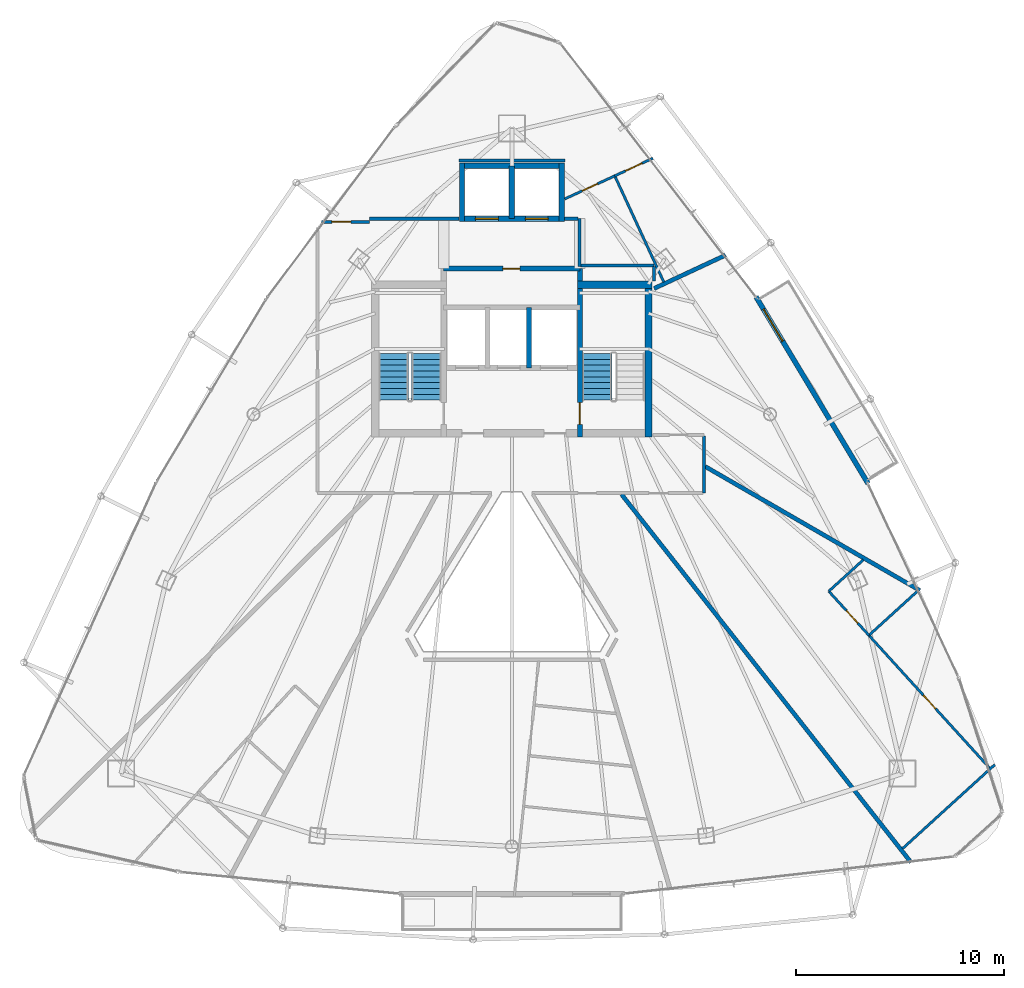
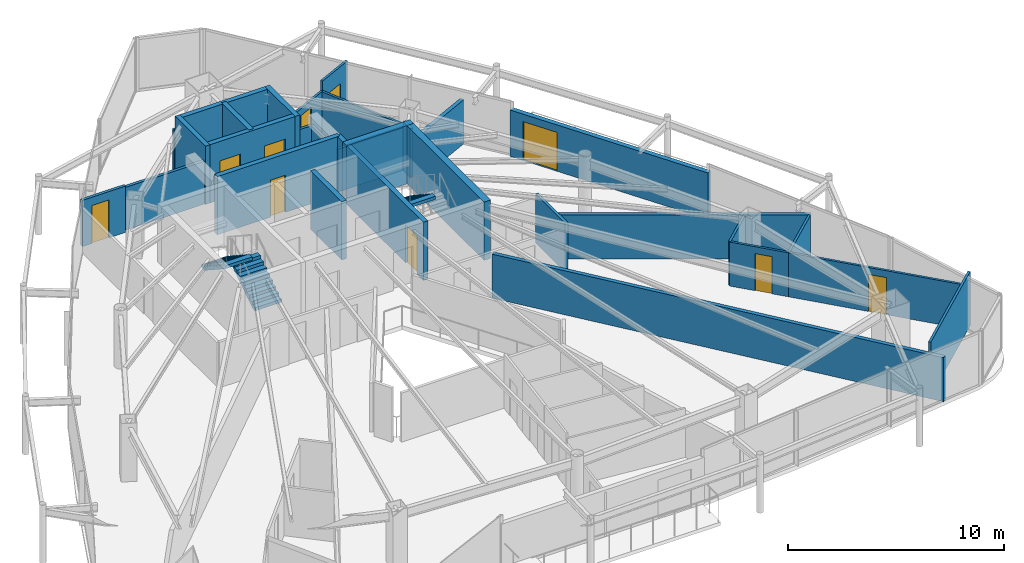
# One storey, part 30 of 34: 30 walls, 10 doors, 3 stair flights, 10 openings, 2 elements without a shape of their own.
"""IFC4 building model written with IfcOpenShell, lengths in metres."""

import ifcopenshell
import ifcopenshell.guid

model = None  # the IFC model being written
_history = None  # IfcOwnerHistory: only IFC2X3 demands one
_inside = {}  # id of a spatial element -> (the spatial element, [elements in it])
_under = {}  # id of a project, library or spatial element -> (it, [spatial elements below it])
_declared = {}  # id of a project -> (the project, [libraries it declares])
_typed = {}  # id of a type object -> (the type object, [elements of that type])
_made_of = {}  # id of a material, layer set ... -> (it, [elements and type objects made of it])


def new_model(schema):
    """Start an empty IFC model of exactly this schema.

    Asked for "IFC4X3", IfcOpenShell would pick the latest addendum, in which some entities
    have other attributes; the version numbers below select the first issue.
    IFC2X3 requires an IfcOwnerHistory on every rooted entity: one is made here for all.
    """
    global model, _history
    if schema == "IFC4X3":
        model = ifcopenshell.file(schema_version=(4, 3, 0, 0))
    else:
        model = ifcopenshell.file(schema=schema)
    _inside.clear()
    _under.clear()
    _declared.clear()
    _typed.clear()
    _made_of.clear()
    _history = None
    if model.schema == "IFC2X3":
        org = make("IfcOrganization", Name="unknown")
        user = make(
            "IfcPersonAndOrganization",
            ThePerson=make("IfcPerson", FamilyName="unknown"),
            TheOrganization=org,
        )
        app = make(
            "IfcApplication",
            ApplicationDeveloper=org,
            Version="unknown",
            ApplicationFullName="unknown",
            ApplicationIdentifier="unknown",
        )
        _history = make(
            "IfcOwnerHistory",
            OwningUser=user,
            OwningApplication=app,
            ChangeAction="ADDED",
            CreationDate=0,
        )
    return model


def make(cls, **values):
    """One entity of the class cls with the attributes given. An attribute that is None is left unset."""
    return model.create_entity(
        cls, **{name: value for name, value in values.items() if value is not None}
    )


def rooted(cls, **values):
    """An entity with a GlobalId (a new one), such as an element, a storey or a relation."""
    return make(cls, GlobalId=ifcopenshell.guid.new(), OwnerHistory=_history, **values)


def si_unit(unit_type, name, prefix=None):
    """IfcSIUnit, for example si_unit("LENGTHUNIT", "METRE", prefix="MILLI")."""
    return make("IfcSIUnit", UnitType=unit_type, Prefix=prefix, Name=name)


def assignment(units):
    """IfcUnitAssignment: the units of a project."""
    return None if units is None else make("IfcUnitAssignment", Units=units)


def point(xyz):
    """IfcCartesianPoint."""
    return None if xyz is None else make("IfcCartesianPoint", Coordinates=xyz)


def direction(xyz):
    """IfcDirection."""
    return None if xyz is None else make("IfcDirection", DirectionRatios=xyz)


def frame(location, z_axis=None, x_axis=None):
    """IfcAxis2Placement3D, a coordinate frame: its origin and axes. An axis left out is left unset."""
    return make(
        "IfcAxis2Placement3D",
        Location=point(location),
        Axis=direction(z_axis),
        RefDirection=direction(x_axis),
    )


def frame_2d(location, x_axis=None):
    """IfcAxis2Placement2D, a coordinate frame in the plane: its origin and x axis."""
    return make(
        "IfcAxis2Placement2D", Location=point(location), RefDirection=direction(x_axis)
    )


def origin():
    """The frame at (0, 0, 0) with its axes left unset."""
    return frame((0.0, 0.0, 0.0))


def place(relative_to, where):
    """IfcLocalPlacement: puts the frame where relative to a parent placement (None: the world)."""
    return make(
        "IfcLocalPlacement", PlacementRelTo=relative_to, RelativePlacement=where
    )


def context(
    kind, dimensions, precision=None, world=None, true_north=None, identifier=None
):
    """IfcGeometricRepresentationContext, for example the 3D "Model" context."""
    return make(
        "IfcGeometricRepresentationContext",
        ContextIdentifier=identifier,
        ContextType=kind,
        CoordinateSpaceDimension=dimensions,
        Precision=precision,
        WorldCoordinateSystem=world,
        TrueNorth=true_north,
    )


def subcontext(parent, identifier, kind, view, scale=None):
    """IfcGeometricRepresentationSubContext, for example "Body" below "Model"."""
    return make(
        "IfcGeometricRepresentationSubContext",
        ContextIdentifier=identifier,
        ContextType=kind,
        ParentContext=parent,
        TargetScale=scale,
        TargetView=view,
    )


def project(units=None, contexts=None):
    """IfcProject with its units and contexts."""
    return rooted(
        "IfcProject",
        Name="project",
        RepresentationContexts=contexts,
        UnitsInContext=assignment(units),
    )


def spatial(cls, under=None, at=None, **own):
    """A site, building, storey or space (cls), placed at a placement, below another one or the project."""
    s = rooted(cls, ObjectPlacement=at, **own)
    if under is not None:
        _under.setdefault(under.id(), (under, []))[1].append(s)
    return s


def polyline(points):
    """IfcPolyline through the points."""
    return make("IfcPolyline", Points=[point(p) for p in points])


def profile(cls, at=None, kind="AREA", **sizes):
    """A parametric profile (cls). Its sizes go by their IFC names, for example OverallWidth=200.0."""
    return make(cls, ProfileType=kind, Position=at, **sizes)


def rectangle(**sizes):
    """IfcRectangleProfileDef."""
    return profile("IfcRectangleProfileDef", **sizes)


def outline(outer, holes=None, kind="AREA"):
    """IfcArbitraryClosedProfileDef: a profile drawn as a closed curve; with holes, ...WithVoids."""
    if holes is None:
        return make("IfcArbitraryClosedProfileDef", ProfileType=kind, OuterCurve=outer)
    return make(
        "IfcArbitraryProfileDefWithVoids",
        ProfileType=kind,
        OuterCurve=outer,
        InnerCurves=holes,
    )


def extrude(swept, where, along, depth):
    """IfcExtrudedAreaSolid: the profile swept, set in the frame where, extruded along a direction by depth."""
    return make(
        "IfcExtrudedAreaSolid",
        SweptArea=swept,
        Position=where,
        ExtrudedDirection=direction(along),
        Depth=depth,
    )


def shape(context_of_items, identifier, shape_type, items):
    """IfcShapeRepresentation: the items that make up one representation, for example the "Body"."""
    return make(
        "IfcShapeRepresentation",
        ContextOfItems=context_of_items,
        RepresentationIdentifier=identifier,
        RepresentationType=shape_type,
        Items=items,
    )


def material(Name=None, Category=None):
    """IfcMaterial."""
    return make("IfcMaterial", Name=Name, Category=Category)


def layer(
    of_material, thickness, ventilated=None, Name=None, Category=None, Priority=None
):
    """IfcMaterialLayer: one layer of a wall or slab, of a material (None: an air gap)."""
    return make(
        "IfcMaterialLayer",
        Material=of_material,
        LayerThickness=thickness,
        IsVentilated=ventilated,
        Name=Name,
        Category=Category,
        Priority=Priority,
    )


def layer_set(layers, Name=None):
    """IfcMaterialLayerSet."""
    return make("IfcMaterialLayerSet", MaterialLayers=layers, LayerSetName=Name)


def made_of(thing, what):
    """Note that an element or type object is made of a material, layer set ...; save() writes the relation."""
    if what is not None:
        _made_of.setdefault(what.id(), (what, []))[1].append(thing)
    return thing


def type_object(cls, material=None, **own):
    """A type object (cls), such as IfcWallType, which elements share."""
    return made_of(rooted(cls, **own), material)


def element(
    cls,
    number,
    at=None,
    inside=None,
    cuts=None,
    type_object=None,
    material=None,
    context=None,
    identifier="Body",
    shape_type=None,
    held_by="IfcProductDefinitionShape",
    body=None,
    shapes=None,
    **own,
):
    """One element of the class cls, such as IfcWall. Its Tag is "e" and its number.

    at: its placement. inside: the storey or other place that contains it. cuts: it is an
    opening in that element (IfcRelVoidsElement). A single representation is given by context,
    identifier, shape_type and body (its items); several are given by shapes. held_by: the class
    of the entity that holds the representations. save() writes the other relations.
    """
    e = rooted(cls, Tag="e%d" % number, ObjectPlacement=at, **own)
    if body is not None:
        shapes = [shape(context, identifier, shape_type, body)]
    if shapes is not None:
        e.Representation = make(held_by, Representations=shapes)
    if inside is not None:
        _inside.setdefault(inside.id(), (inside, []))[1].append(e)
    if cuts is not None:
        rooted(
            "IfcRelVoidsElement", RelatingBuildingElement=cuts, RelatedOpeningElement=e
        )
    if type_object is not None:
        _typed.setdefault(type_object.id(), (type_object, []))[1].append(e)
    return made_of(e, material)


def fill(opening, filler):
    """IfcRelFillsElement: the door or window that sits in an opening."""
    return rooted(
        "IfcRelFillsElement",
        RelatingOpeningElement=opening,
        RelatedBuildingElement=filler,
    )


def aggregate(whole, parts):
    """IfcRelAggregates: a whole, such as a stair, and the parts it consists of."""
    return rooted("IfcRelAggregates", RelatingObject=whole, RelatedObjects=parts)


def save(model, path):
    """Write the relations noted so far, then the file.

    IfcRelAggregates (storeys below a building ...), IfcRelContainedInSpatialStructure (elements
    in a storey), IfcRelDefinesByType, IfcRelAssociatesMaterial and IfcRelDeclares: one each for
    every whole, place, type object, material and project.
    """
    for whole, parts in _under.values():
        aggregate(whole, parts)
    for where, things in _inside.values():
        rooted(
            "IfcRelContainedInSpatialStructure",
            RelatedElements=things,
            RelatingStructure=where,
        )
    for kind, things in _typed.values():
        rooted("IfcRelDefinesByType", RelatedObjects=things, RelatingType=kind)
    for what, things in _made_of.values():
        rooted("IfcRelAssociatesMaterial", RelatedObjects=things, RelatingMaterial=what)
    for by, libraries in _declared.values():
        rooted("IfcRelDeclares", RelatingContext=by, RelatedDefinitions=libraries)
    model.write(path)


model = new_model("IFC4")

# Units and contexts
model_context = context("Model", 3, precision=1e-05, world=origin(), true_north=direction((0.0, 1.0)))
body_context = subcontext(model_context, "Body", "Model", "MODEL_VIEW")
ifc_project = project(units=[si_unit("LENGTHUNIT", "METRE"), si_unit("AREAUNIT", "SQUARE_METRE"), si_unit("VOLUMEUNIT", "CUBIC_METRE"), si_unit("PLANEANGLEUNIT", "RADIAN"), si_unit("MASSUNIT", "GRAM", prefix="KILO")], contexts=[model_context])

# Site, building, storey
site_placement = place(None, origin())
site = spatial("IfcSite", under=ifc_project, at=site_placement, CompositionType="ELEMENT")
building_placement = place(site_placement, origin())
building = spatial("IfcBuilding", under=site, at=building_placement, Name="Orvanel Arch Residences", CompositionType="ELEMENT")
storey_placement = place(building_placement, frame((0.0, 0.0, 199.699951171875)))
storey = spatial("IfcBuildingStorey", under=building, at=storey_placement, Name="L56", CompositionType="ELEMENT", Elevation=199.699951171875)

# Wall, opening, door
ifc_material_1 = material(Name="Precast concrete N50 (50 MPa)", Category="concrete")
ifc_layer_1 = layer(ifc_material_1, 0.239990234375)
ifc_layer_set_1 = layer_set([ifc_layer_1], Name="Precast concrete N50 (50 MPa)")
wall_type_1 = type_object("IfcWallType", Name="EW-BAL-240", PredefinedType="SOLIDWALL", material=ifc_layer_set_1)
wall_1_placement = place(storey_placement, frame((50.14892578125, 24.300048828125, 0.0), z_axis=(0.0, 0.0, 1.0), x_axis=(-0.514406779101, 0.857546305231, 0.0)))
wall_1 = element("IfcWall", 1, at=wall_1_placement, inside=storey, type_object=wall_type_1, Name="L56 Balcony Threshold Wall Face 3", PredefinedType="SOLIDWALL", context=body_context, shape_type="SweptSolid", body=[
    extrude(rectangle(XDim=10.49169921875, YDim=0.239990234375, at=frame_2d((5.245849609375, 0.0))), origin(), (0.0, 0.0, 1.0), 2.6240234375),
])
opening_1_placement = place(wall_1_placement, frame((7.993896484375, 0.0, 0.0)))
opening_1 = element("IfcOpeningElement", 2, at=opening_1_placement, cuts=wall_1, Name="Opening DB-180", PredefinedType="OPENING", context=body_context, shape_type="SweptSolid", body=[
    extrude(rectangle(XDim=1.800048828125, YDim=2.199951171875, at=frame_2d((0.89990234375, 1.10009765625))), frame((0.0, 0.1298828125, 0.0), z_axis=(0.0, -1.0, 0.0), x_axis=(1.0, 0.0, 0.0)), (0.0, 0.0, 1.0), 0.260009765625),
])
ifc_material_2 = material(Name="Bronze-anodised aluminium AA6063-T6", Category="aluminium")
door_type_1 = type_object("IfcDoorType", Name="DR-BAL-1800", OperationType="NOTDEFINED", PredefinedType="DOOR", material=ifc_material_2)
door_1_placement = place(opening_1_placement, origin())
door_1 = element("IfcDoor", 3, at=door_1_placement, inside=storey, type_object=door_type_1, Name="DR-L56-BAL-F3 L56 Planted Balcony Access Door Face 3", OperationType="SINGLE_SWING_LEFT", OverallHeight=2.199951171875, OverallWidth=1.800048828125, PredefinedType="DOOR", context=body_context, shape_type="SweptSolid", body=[
    extrude(rectangle(XDim=1.800048828125, YDim=2.199951171875, at=frame_2d((0.89990234375, 1.10009765625))), frame((0.0, 0.02490234375, 0.0), z_axis=(0.0, -1.0, 0.0), x_axis=(1.0, 0.0, 0.0)), (0.0, 0.0, 1.0), 0.050048828125),
])
fill(opening_1, door_1)

ifc_material_3 = material(Name="Concrete N50 (50 MPa)", Category="concrete")
ifc_layer_2 = layer(ifc_material_3, 0.25)
ifc_layer_set_2 = layer_set([ifc_layer_2], Name="Concrete N50 (50 MPa)")
wall_type_2 = type_object("IfcWallType", Name="SW-CORE-250", PredefinedType="SHEAR", material=ifc_layer_set_2)
wall_2_placement = place(storey_placement, frame((36.27490234375, 26.550048828125, 0.0), z_axis=(0.0, 0.0, 1.0), x_axis=(0.0, 1.0, 0.0)))
wall_2 = element("IfcWall", 4, at=wall_2_placement, inside=storey, type_object=wall_type_2, Name="L56 East Inner Core Spine Shear Wall", PredefinedType="SHEAR", context=body_context, shape_type="SweptSolid", body=[
    extrude(rectangle(XDim=8.099853515625, YDim=0.25, at=frame_2d((4.0498046875, 0.0))), origin(), (0.0, 0.0, 1.0), 3.300048828125),
])
opening_2_placement = place(wall_2_placement, frame((0.60009765625, 0.0, 0.0)))
opening_2 = element("IfcOpeningElement", 5, at=opening_2_placement, cuts=wall_2, Name="Opening DF-120", PredefinedType="OPENING", context=body_context, shape_type="SweptSolid", body=[
    extrude(rectangle(XDim=1.050048828125, YDim=2.14990234375, at=frame_2d((0.52490234375, 1.074951171875))), frame((0.0, 0.135009765625, 0.0), z_axis=(0.0, -1.0, 0.0), x_axis=(1.0, 0.0, 0.0)), (0.0, 0.0, 1.0), 0.27001953125),
])
ifc_material_4 = material(Name="Galvanised steel fire-resisting door assembly", Category="steel")
door_type_2 = type_object("IfcDoorType", Name="DR-FD120-1050", OperationType="NOTDEFINED", PredefinedType="DOOR", material=ifc_material_4)
door_2_placement = place(opening_2_placement, origin())
door_2 = element("IfcDoor", 6, at=door_2_placement, inside=storey, type_object=door_type_2, Name="DR-L56-ST2 L56 Stair 2 Fire Door", OperationType="SINGLE_SWING_RIGHT", OverallHeight=2.14990234375, OverallWidth=1.050048828125, PredefinedType="DOOR", context=body_context, shape_type="SweptSolid", body=[
    extrude(rectangle(XDim=1.050048828125, YDim=2.14990234375, at=frame_2d((0.52490234375, 1.074951171875))), frame((0.0, 0.02490234375, 0.0), z_axis=(0.0, -1.0, 0.0), x_axis=(1.0, 0.0, 0.0)), (0.0, 0.0, 1.0), 0.050048828125),
])
fill(opening_2, door_2)

# Wall
wall_3_placement = place(storey_placement, frame((33.824951171875, 29.875, 0.0), z_axis=(0.0, 0.0, 1.0), x_axis=(0.0, 1.0, 0.0)))
element("IfcWall", 7, at=wall_3_placement, inside=storey, type_object=wall_type_2, Name="L56 Emergency Lift Inter-Shaft Wall F2G", PredefinedType="SHEAR", context=body_context, shape_type="SweptSolid", body=[
    extrude(rectangle(XDim=2.89990234375, YDim=0.25, at=frame_2d((1.449951171875, 0.0))), origin(), (0.0, 0.0, 1.0), 3.300048828125),
])

# Wall, opening, door
wall_4_placement = place(storey_placement, frame((29.72509765625, 34.64990234375, 0.0), z_axis=(0.0, 0.0, 1.0), x_axis=(1.0, 0.0, 0.0)))
wall_4 = element("IfcWall", 8, at=wall_4_placement, inside=storey, type_object=wall_type_2, Name="L56 Core Service Band North Shear Wall", PredefinedType="SHEAR", context=body_context, shape_type="SweptSolid", body=[
    extrude(rectangle(XDim=6.5498046875, YDim=0.25, at=frame_2d((3.27490234375, 0.0))), origin(), (0.0, 0.0, 1.0), 3.300048828125),
])
opening_3_placement = place(wall_4_placement, frame((2.840087890625, 0.0, 0.0)))
opening_3 = element("IfcOpeningElement", 9, at=opening_3_placement, cuts=wall_4, Name="Opening DS-082", PredefinedType="OPENING", context=body_context, shape_type="SweptSolid", body=[
    extrude(rectangle(XDim=0.820068359375, YDim=2.10009765625, at=frame_2d((0.41015625, 1.050048828125))), frame((0.0, 0.135009765625, 0.0), z_axis=(0.0, -1.0, 0.0), x_axis=(1.0, 0.0, 0.0)), (0.0, 0.0, 1.0), 0.27001953125),
])
door_type_3 = type_object("IfcDoorType", Name="DR-SVC-820", OperationType="NOTDEFINED", PredefinedType="DOOR", material=ifc_material_4)
door_3_placement = place(opening_3_placement, origin())
door_3 = element("IfcDoor", 10, at=door_3_placement, inside=storey, type_object=door_type_3, Name="DR-L56-CSVC-1 L56 Housekeeping Linen Store Door", OperationType="SINGLE_SWING_LEFT", OverallHeight=2.10009765625, OverallWidth=0.820068359375, PredefinedType="DOOR", context=body_context, shape_type="SweptSolid", body=[
    extrude(rectangle(XDim=0.820068359375, YDim=2.10009765625, at=frame_2d((0.41015625, 1.050048828125))), frame((0.0, 0.02490234375, 0.0), z_axis=(0.0, -1.0, 0.0), x_axis=(1.0, 0.0, 0.0)), (0.0, 0.0, 1.0), 0.050048828125),
])
fill(opening_3, door_3)

# Wall, openings, doors
wall_5_placement = place(storey_placement, frame((35.52490234375, 37.050048828125, 0.0), z_axis=(0.0, 0.0, 1.0), x_axis=(-1.0, 0.0, 0.0)))
wall_5 = element("IfcWall", 11, at=wall_5_placement, inside=storey, type_object=wall_type_2, Name="L56 Passenger Lift Bank Front Shear Wall", PredefinedType="SHEAR", context=body_context, shape_type="SweptSolid", body=[
    extrude(rectangle(XDim=5.0498046875, YDim=0.25, at=frame_2d((2.52490234375, 0.0))), origin(), (0.0, 0.0, 1.0), 3.300048828125),
])
opening_4_placement = place(wall_5_placement, frame((3.175048828125, 0.0, 0.0)))
opening_4 = element("IfcOpeningElement", 12, at=opening_4_placement, cuts=wall_5, Name="Opening LD-110", PredefinedType="OPENING", context=body_context, shape_type="SweptSolid", body=[
    extrude(rectangle(XDim=1.10009765625, YDim=2.199951171875, at=frame_2d((0.550048828125, 1.10009765625))), frame((0.0, 0.135009765625, 0.0), z_axis=(0.0, -1.0, 0.0), x_axis=(1.0, 0.0, 0.0)), (0.0, 0.0, 1.0), 0.27001953125),
])
opening_5_placement = place(wall_5_placement, frame((0.77490234375, 0.0, 0.0)))
opening_5 = element("IfcOpeningElement", 13, at=opening_5_placement, cuts=wall_5, Name="Opening LD-110", PredefinedType="OPENING", context=body_context, shape_type="SweptSolid", body=[
    extrude(rectangle(XDim=1.10009765625, YDim=2.199951171875, at=frame_2d((0.550048828125, 1.10009765625))), frame((0.0, 0.135009765625, 0.0), z_axis=(0.0, -1.0, 0.0), x_axis=(1.0, 0.0, 0.0)), (0.0, 0.0, 1.0), 0.27001953125),
])
door_type_4 = type_object("IfcDoorType", Name="DR-LFT-1100", OperationType="NOTDEFINED", PredefinedType="DOOR", material=ifc_material_4)
door_4_placement = place(opening_4_placement, origin())
door_4 = element("IfcDoor", 14, at=door_4_placement, inside=storey, type_object=door_type_4, Name="LD-P5-L56 L56 Passenger Lift P5 Sliding Landing Door", OperationType="DOUBLE_DOOR_SLIDING", OverallHeight=2.199951171875, OverallWidth=1.10009765625, PredefinedType="DOOR", context=body_context, shape_type="SweptSolid", body=[
    extrude(rectangle(XDim=1.10009765625, YDim=2.199951171875, at=frame_2d((0.550048828125, 1.10009765625))), frame((0.0, 0.02490234375, 0.0), z_axis=(0.0, -1.0, 0.0), x_axis=(1.0, 0.0, 0.0)), (0.0, 0.0, 1.0), 0.050048828125),
])
fill(opening_4, door_4)
door_5_placement = place(opening_5_placement, origin())
door_5 = element("IfcDoor", 15, at=door_5_placement, inside=storey, type_object=door_type_4, Name="LD-P6-L56 L56 Passenger Lift P6 Sliding Landing Door", OperationType="DOUBLE_DOOR_SLIDING", OverallHeight=2.199951171875, OverallWidth=1.10009765625, PredefinedType="DOOR", context=body_context, shape_type="SweptSolid", body=[
    extrude(rectangle(XDim=1.10009765625, YDim=2.199951171875, at=frame_2d((0.550048828125, 1.10009765625))), frame((0.0, 0.02490234375, 0.0), z_axis=(0.0, -1.0, 0.0), x_axis=(1.0, 0.0, 0.0)), (0.0, 0.0, 1.0), 0.050048828125),
])
fill(opening_5, door_5)

# Walls
wall_6_placement = place(storey_placement, frame((30.47509765625, 39.60009765625, 0.0), z_axis=(0.0, 0.0, 1.0), x_axis=(1.0, 0.0, 0.0)))
element("IfcWall", 16, at=wall_6_placement, inside=storey, type_object=wall_type_2, Name="L56 Passenger Lift Bank North Shear Wall", PredefinedType="SHEAR", context=body_context, shape_type="SweptSolid", body=[
    extrude(rectangle(XDim=5.0498046875, YDim=0.25, at=frame_2d((2.52490234375, 0.0))), origin(), (0.0, 0.0, 1.0), 3.300048828125),
])
for number, where, z_axis, x_axis, name in (
    (17, (30.60009765625, 36.925048828125, 0.0), (0.0, 0.0, 1.0), (0.0, 1.0, 0.0), "L56 Passenger Lift Bank West Shear Wall"),
    (18, (35.39990234375, 36.925048828125, 0.0), (0.0, 0.0, 1.0), (0.0, 1.0, 0.0), "L56 Passenger Lift Bank East Shear Wall"),
):
    element("IfcWall", number, at=place(storey_placement, frame(where, z_axis=z_axis, x_axis=x_axis)), inside=storey, type_object=wall_type_2, Name=name, PredefinedType="SHEAR", context=body_context, shape_type="SweptSolid", body=[
        extrude(rectangle(XDim=2.800048828125, YDim=0.25, at=frame_2d((1.39990234375, 0.0))), origin(), (0.0, 0.0, 1.0), 3.300048828125),
    ])
wall_7_placement = place(storey_placement, frame((33.0, 37.050048828125, 0.0), z_axis=(0.0, 0.0, 1.0), x_axis=(0.0, 1.0, 0.0)))
element("IfcWall", 19, at=wall_7_placement, inside=storey, type_object=wall_type_2, Name="L56 Passenger Lift Inter-Shaft Wall P56", PredefinedType="SHEAR", context=body_context, shape_type="SweptSolid", body=[
    extrude(rectangle(XDim=2.550048828125, YDim=0.25, at=frame_2d((1.27490234375, 0.0))), origin(), (0.0, 0.0, 1.0), 3.300048828125),
])
ifc_layer_3 = layer(ifc_material_3, 0.35009765625)
ifc_layer_set_3 = layer_set([ifc_layer_3], Name="Concrete N50 (50 MPa)")
wall_type_3 = type_object("IfcWallType", Name="SW-CORE-350", PredefinedType="SHEAR", material=ifc_layer_set_3)
wall_8_placement = place(storey_placement, frame((39.574951171875, 26.550048828125, 0.0), z_axis=(0.0, 0.0, 1.0), x_axis=(0.0, 1.0, 0.0)))
element("IfcWall", 20, at=wall_8_placement, inside=storey, type_object=wall_type_3, Name="L56 East Stair Shear Wall", PredefinedType="SHEAR", context=body_context, shape_type="SweptSolid", body=[
    extrude(rectangle(XDim=7.5, YDim=0.35009765625, at=frame_2d((3.75, 0.0))), origin(), (0.0, 0.0, 1.0), 3.300048828125),
])
wall_9_placement = place(storey_placement, frame((36.14990234375, 33.875, 0.0), z_axis=(0.0, 0.0, 1.0), x_axis=(1.0, 0.0, 0.0)))
element("IfcWall", 21, at=wall_9_placement, inside=storey, type_object=wall_type_3, Name="L56 East Stair North Shear Wall", PredefinedType="SHEAR", context=body_context, shape_type="SweptSolid", body=[
    extrude(rectangle(XDim=3.60009765625, YDim=0.35009765625, at=frame_2d((1.800048828125, 0.0))), origin(), (0.0, 0.0, 1.0), 3.300048828125),
])
ifc_material_5 = material(Name="Fire-rated plasterboard lined steel stud partition", Category="steel")
ifc_layer_4 = layer(ifc_material_5, 0.14990234375)
ifc_layer_set_4 = layer_set([ifc_layer_4], Name="Fire-rated plasterboard lined steel stud partition")
wall_type_4 = type_object("IfcWallType", Name="W-COR-150", PredefinedType="PARTITIONING", material=ifc_layer_set_4)
wall_10_placement = place(storey_placement, frame((36.25, 34.760009765625, 0.0), z_axis=(0.0, 0.0, 1.0), x_axis=(0.0, 1.0, 0.0)))
element("IfcWall", 22, at=wall_10_placement, inside=storey, type_object=wall_type_4, Name="L56 Passenger Lift Lobby East Closure Wall", PredefinedType="PARTITIONING", context=body_context, shape_type="SweptSolid", body=[
    extrude(rectangle(XDim=2.2900390625, YDim=0.14990234375, at=frame_2d((1.14501953125, 0.0))), origin(), (0.0, 0.0, 1.0), 2.425048828125),
])
wall_11_placement = place(storey_placement, frame((35.52490234375, 37.050048828125, 0.0), z_axis=(0.0, 0.0, 1.0), x_axis=(1.0, 0.0, 0.0)))
element("IfcWall", 23, at=wall_11_placement, inside=storey, type_object=wall_type_4, Name="L56 Passenger Lift Lobby North-East Wall", PredefinedType="PARTITIONING", context=body_context, shape_type="SweptSolid", body=[
    extrude(rectangle(XDim=0.6650390625, YDim=0.14990234375, at=frame_2d((0.33251953125, 0.0))), origin(), (0.0, 0.0, 1.0), 2.425048828125),
])

# Wall, opening, door
wall_12_placement = place(storey_placement, frame((23.8310546875, 36.89990234375, 0.0), z_axis=(0.0, 0.0, 1.0), x_axis=(1.0, 0.0, 0.0)))
wall_12 = element("IfcWall", 24, at=wall_12_placement, inside=storey, type_object=wall_type_4, Name="L56 Corridor Fire-Rated Partition", PredefinedType="PARTITIONING", context=body_context, shape_type="SweptSolid", body=[
    extrude(rectangle(XDim=2.31884765625, YDim=0.14990234375, at=frame_2d((1.159423828125, 0.0))), origin(), (0.0, 0.0, 1.0), 2.619140625),
])
opening_6_placement = place(wall_12_placement, frame((0.510009765625, 0.0, 0.0)))
opening_6 = element("IfcOpeningElement", 25, at=opening_6_placement, cuts=wall_12, Name="Opening DA-092", PredefinedType="OPENING", context=body_context, shape_type="SweptSolid", body=[
    extrude(rectangle(XDim=0.919921875, YDim=2.14990234375, at=frame_2d((0.4599609375, 1.074951171875))), frame((0.0, 0.0849609375, 0.0), z_axis=(0.0, -1.0, 0.0), x_axis=(1.0, 0.0, 0.0)), (0.0, 0.0, 1.0), 0.169921875),
])
ifc_material_6 = material(Name="Solid-core European oak veneer fire door leaf", Category="wood")
door_type_5 = type_object("IfcDoorType", Name="DR-APT-920", OperationType="NOTDEFINED", PredefinedType="DOOR", material=ifc_material_6)
door_6_placement = place(opening_6_placement, origin())
door_6 = element("IfcDoor", 26, at=door_6_placement, inside=storey, type_object=door_type_5, Name="DR-L56-F-ENT L56 Studio F Entrance Door", OperationType="SINGLE_SWING_LEFT", OverallHeight=2.14990234375, OverallWidth=0.919921875, PredefinedType="DOOR", context=body_context, shape_type="SweptSolid", body=[
    extrude(rectangle(XDim=0.919921875, YDim=2.14990234375, at=frame_2d((0.4599609375, 1.074951171875))), frame((0.0, 0.02490234375, 0.0), z_axis=(0.0, -1.0, 0.0), x_axis=(1.0, 0.0, 0.0)), (0.0, 0.0, 1.0), 0.050048828125),
])
fill(opening_6, door_6)

# Walls
wall_13_placement = place(storey_placement, frame((42.25, 26.590087890625, 0.0), z_axis=(0.0, 0.0, 1.0), x_axis=(0.0, -1.0, 0.0)))
element("IfcWall", 27, at=wall_13_placement, inside=storey, type_object=wall_type_4, Name="L56 Corridor Fire-Rated Partition", PredefinedType="PARTITIONING", context=body_context, shape_type="SweptSolid", body=[
    extrude(rectangle(XDim=2.739990234375, YDim=0.14990234375, at=frame_2d((1.3701171875, 0.0))), origin(), (0.0, 0.0, 1.0), 2.77294921875),
])
wall_14_placement = place(storey_placement, frame((26.14990234375, 37.050048828125, 0.0), z_axis=(0.0, 0.0, 1.0), x_axis=(1.0, 0.0, 0.0)))
element("IfcWall", 28, at=wall_14_placement, inside=storey, type_object=wall_type_4, Name="L56 Core Perimeter Partition", PredefinedType="PARTITIONING", context=body_context, shape_type="SweptSolid", body=[
    extrude(rectangle(XDim=4.300048828125, YDim=0.14990234375, at=frame_2d((2.14990234375, 0.0))), origin(), (0.0, 0.0, 1.0), 2.425048828125),
])
wall_15_placement = place(storey_placement, frame((30.449951171875, 39.85009765625, 0.0), z_axis=(0.0, 0.0, 1.0), x_axis=(1.0, 0.0, 0.0)))
element("IfcWall", 29, at=wall_15_placement, inside=storey, type_object=wall_type_4, Name="L56 Core Perimeter Partition", PredefinedType="PARTITIONING", context=body_context, shape_type="SweptSolid", body=[
    extrude(rectangle(XDim=5.10009765625, YDim=0.14990234375, at=frame_2d((2.550048828125, 0.0))), origin(), (0.0, 0.0, 1.0), 2.491943359375),
])
wall_16_placement = place(storey_placement, frame((36.31005859375, 34.800048828125, 0.0), z_axis=(0.0, 0.0, 1.0), x_axis=(1.0, 0.0, 0.0)))
element("IfcWall", 30, at=wall_16_placement, inside=storey, type_object=wall_type_4, Name="L56 Core Perimeter Partition", PredefinedType="PARTITIONING", context=body_context, shape_type="SweptSolid", body=[
    extrude(rectangle(XDim=3.5400390625, YDim=0.14990234375, at=frame_2d((1.77001953125, 0.0))), origin(), (0.0, 0.0, 1.0), 2.425048828125),
])
wall_17_placement = place(storey_placement, frame((39.85009765625, 34.739990234375, 0.0), z_axis=(0.0, 0.0, 1.0), x_axis=(0.0, -1.0, 0.0)))
element("IfcWall", 31, at=wall_17_placement, inside=storey, type_object=wall_type_4, Name="L56 Core Perimeter Partition", PredefinedType="PARTITIONING", context=body_context, shape_type="SweptSolid", body=[
    extrude(rectangle(XDim=0.68994140625, YDim=0.14990234375, at=frame_2d((0.344970703125, 0.0))), origin(), (0.0, 0.0, 1.0), 2.77294921875),
])
ifc_layer_5 = layer(ifc_material_5, 0.199951171875)
ifc_layer_set_5 = layer_set([ifc_layer_5], Name="Fire-rated plasterboard lined steel stud partition")
wall_type_5 = type_object("IfcWallType", Name="W-DEM-200", PredefinedType="PARTITIONING", material=ifc_layer_set_5)
wall_18_placement = place(storey_placement, frame((52.214111328125, 6.072998046875, 0.0), z_axis=(0.0, 0.0, 1.0), x_axis=(-0.618246700658, 0.785984107425, 0.0)))
element("IfcWall", 32, at=wall_18_placement, inside=storey, type_object=wall_type_5, Name="L56 Inter-Tenancy Acoustic Demising Wall", PredefinedType="PARTITIONING", context=body_context, shape_type="SweptSolid", body=[
    extrude(rectangle(XDim=22.541259765625, YDim=0.199951171875, at=frame_2d((11.2705078125, 0.0))), origin(), (0.0, 0.0, 1.0), 2.491943359375),
])
wall_19_placement = place(storey_placement, frame((42.31005859375, 25.125, 0.0), z_axis=(0.0, 0.0, 1.0), x_axis=(0.866001812803, -0.500040858552, 0.0)))
element("IfcWall", 33, at=wall_19_placement, inside=storey, type_object=wall_type_5, Name="L56 Inter-Tenancy Acoustic Demising Wall", PredefinedType="PARTITIONING", context=body_context, shape_type="SweptSolid", body=[
    extrude(rectangle(XDim=11.9248046875, YDim=0.199951171875, at=frame_2d((5.96240234375, 0.0))), origin(), (0.0, 0.0, 1.0), 2.491943359375),
])
wall_20_placement = place(storey_placement, frame((43.2890625, 35.298095703125, 0.0), z_axis=(0.0, 0.0, 1.0), x_axis=(-0.906268592738, -0.422702304011, 0.0)))
element("IfcWall", 34, at=wall_20_placement, inside=storey, type_object=wall_type_5, Name="L56 Inter-Tenancy Acoustic Demising Wall", PredefinedType="PARTITIONING", context=body_context, shape_type="SweptSolid", body=[
    extrude(rectangle(XDim=3.794677734375, YDim=0.199951171875, at=frame_2d((1.8974609375, 0.0))), origin(), (0.0, 0.0, 1.0), 2.491943359375),
])
ifc_material_7 = material(Name="Acoustic plasterboard lined twin-stud partition", Category="gypsum")
ifc_layer_6 = layer(ifc_material_7, 0.1201171875)
ifc_layer_set_6 = layer_set([ifc_layer_6], Name="Acoustic plasterboard lined twin-stud partition")
wall_type_6 = type_object("IfcWallType", Name="W-WET-120", PredefinedType="PARTITIONING", material=ifc_layer_set_6)
wall_21_placement = place(storey_placement, frame((49.9150390625, 20.635009765625, 0.0), z_axis=(0.0, 0.0, 1.0), x_axis=(-0.739748179987, -0.672883816276, 0.0)))
element("IfcWall", 35, at=wall_21_placement, inside=storey, type_object=wall_type_6, Name="L56 Studio C Bathroom Partition", PredefinedType="PARTITIONING", context=body_context, shape_type="SweptSolid", body=[
    extrude(rectangle(XDim=2.24560546875, YDim=0.1201171875, at=frame_2d((1.122802734375, 0.0))), origin(), (0.0, 0.0, 1.0), 2.491943359375),
])

# Wall, opening, door
wall_22_placement = place(storey_placement, frame((48.25390625, 19.1240234375, 0.0), z_axis=(0.0, 0.0, 1.0), x_axis=(0.672884473084, -0.739747582546, 0.0)))
wall_22 = element("IfcWall", 36, at=wall_22_placement, inside=storey, type_object=wall_type_6, Name="L56 Studio C Bathroom Partition", PredefinedType="PARTITIONING", context=body_context, shape_type="SweptSolid", body=[
    extrude(rectangle(XDim=2.869873046875, YDim=0.1201171875, at=frame_2d((1.43505859375, 0.0))), origin(), (0.0, 0.0, 1.0), 2.491943359375),
])
opening_7_placement = place(wall_22_placement, frame((1.260009765625, 0.0, 0.0)))
opening_7 = element("IfcOpeningElement", 37, at=opening_7_placement, cuts=wall_22, Name="Opening DW-082", PredefinedType="OPENING", context=body_context, shape_type="SweptSolid", body=[
    extrude(rectangle(XDim=0.820068359375, YDim=2.10009765625, at=frame_2d((0.41015625, 1.050048828125))), frame((0.0, 0.070068359375, 0.0), z_axis=(0.0, -1.0, 0.0), x_axis=(1.0, 0.0, 0.0)), (0.0, 0.0, 1.0), 0.14013671875),
])
door_type_6 = type_object("IfcDoorType", Name="DR-WET-820", OperationType="NOTDEFINED", PredefinedType="DOOR", material=ifc_material_6)
door_7_placement = place(opening_7_placement, origin())
door_7 = element("IfcDoor", 38, at=door_7_placement, inside=storey, type_object=door_type_6, Name="DR-L56-C-BATH L56 Studio C Bathroom Door", OperationType="SINGLE_SWING_RIGHT", OverallHeight=2.10009765625, OverallWidth=0.820068359375, PredefinedType="DOOR", context=body_context, shape_type="SweptSolid", body=[
    extrude(rectangle(XDim=0.820068359375, YDim=2.10009765625, at=frame_2d((0.41015625, 1.050048828125))), frame((0.0, 0.02490234375, 0.0), z_axis=(0.0, -1.0, 0.0), x_axis=(1.0, 0.0, 0.0)), (0.0, 0.0, 1.0), 0.050048828125),
])
fill(opening_7, door_7)

wall_23_placement = place(storey_placement, frame((50.18505859375, 17.0009765625, 0.0), z_axis=(0.0, 0.0, 1.0), x_axis=(0.672902356661, -0.739731315005, 0.0)))
wall_23 = element("IfcWall", 39, at=wall_23_placement, inside=storey, type_object=wall_type_6, Name="L56 Studio C Internal Partition", PredefinedType="PARTITIONING", context=body_context, shape_type="SweptSolid", body=[
    extrude(rectangle(XDim=8.679931640625, YDim=0.1201171875, at=frame_2d((4.33984375, 0.0))), origin(), (0.0, 0.0, 1.0), 2.491943359375),
])
opening_8_placement = place(wall_23_placement, frame((3.89990234375, 0.0, 0.0)))
opening_8 = element("IfcOpeningElement", 40, at=opening_8_placement, cuts=wall_23, Name="Opening DI-088", PredefinedType="OPENING", context=body_context, shape_type="SweptSolid", body=[
    extrude(rectangle(XDim=0.8798828125, YDim=2.10009765625, at=frame_2d((0.43994140625, 1.050048828125))), frame((0.0, 0.070068359375, 0.0), z_axis=(0.0, -1.0, 0.0), x_axis=(1.0, 0.0, 0.0)), (0.0, 0.0, 1.0), 0.14013671875),
])
door_type_7 = type_object("IfcDoorType", Name="DR-INT-880", OperationType="NOTDEFINED", PredefinedType="DOOR", material=ifc_material_6)
door_8_placement = place(opening_8_placement, origin())
door_8 = element("IfcDoor", 41, at=door_8_placement, inside=storey, type_object=door_type_7, Name="DR-L56-C-KIT L56 Studio C Kitchenette Door", OperationType="SINGLE_SWING_LEFT", OverallHeight=2.10009765625, OverallWidth=0.8798828125, PredefinedType="DOOR", context=body_context, shape_type="SweptSolid", body=[
    extrude(rectangle(XDim=0.8798828125, YDim=2.10009765625, at=frame_2d((0.43994140625, 1.050048828125))), frame((0.0, 0.02490234375, 0.0), z_axis=(0.0, -1.0, 0.0), x_axis=(1.0, 0.0, 0.0)), (0.0, 0.0, 1.0), 0.050048828125),
])
fill(opening_8, door_8)

# Walls
wall_24_placement = place(storey_placement, frame((56.248046875, 10.782958984375, 0.0), z_axis=(0.0, 0.0, 1.0), x_axis=(-0.739671804489, -0.672967771624, 0.0)))
element("IfcWall", 42, at=wall_24_placement, inside=storey, type_object=wall_type_6, Name="L56 Studio C Internal Partition", PredefinedType="PARTITIONING", context=body_context, shape_type="SweptSolid", body=[
    extrude(rectangle(XDim=6.013427734375, YDim=0.1201171875, at=frame_2d((3.0068359375, 0.0))), origin(), (0.0, 0.0, 1.0), 3.06005859375),
])
wall_25_placement = place(storey_placement, frame((52.52392578125, 19.12890625, 0.0), z_axis=(0.0, 0.0, 1.0), x_axis=(-0.739674496232, -0.672964813065, 0.0)))
element("IfcWall", 43, at=wall_25_placement, inside=storey, type_object=wall_type_6, Name="L56 Studio C Bathroom Partition", PredefinedType="PARTITIONING", context=body_context, shape_type="SweptSolid", body=[
    extrude(rectangle(XDim=3.162109375, YDim=0.1201171875, at=frame_2d((1.5810546875, 0.0))), origin(), (0.0, 0.0, 1.0), 2.491943359375),
])

# Wall, opening, door
wall_26_placement = place(storey_placement, frame((37.955078125, 39.114013671875, 0.0), z_axis=(0.0, 0.0, 1.0), x_axis=(-0.907945896046, -0.41908740121, 0.0)))
wall_26 = element("IfcWall", 44, at=wall_26_placement, inside=storey, type_object=wall_type_6, Name="L56 Studio F Bathroom Partition", PredefinedType="PARTITIONING", context=body_context, shape_type="SweptSolid", body=[
    extrude(rectangle(XDim=2.64892578125, YDim=0.1201171875, at=frame_2d((1.324462890625, 0.0))), origin(), (0.0, 0.0, 1.0), 2.491943359375),
])
opening_9_placement = place(wall_26_placement, frame((0.9140625, 0.0, 0.0)))
opening_9 = element("IfcOpeningElement", 45, at=opening_9_placement, cuts=wall_26, Name="Opening DW-082", PredefinedType="OPENING", context=body_context, shape_type="SweptSolid", body=[
    extrude(rectangle(XDim=0.820068359375, YDim=2.10009765625, at=frame_2d((0.41015625, 1.050048828125))), frame((0.0, 0.070068359375, 0.0), z_axis=(0.0, -1.0, 0.0), x_axis=(1.0, 0.0, 0.0)), (0.0, 0.0, 1.0), 0.14013671875),
])
door_9_placement = place(opening_9_placement, origin())
door_9 = element("IfcDoor", 46, at=door_9_placement, inside=storey, type_object=door_type_6, Name="DR-L56-F-BATH L56 Studio F Bathroom Door", OperationType="SINGLE_SWING_RIGHT", OverallHeight=2.10009765625, OverallWidth=0.820068359375, PredefinedType="DOOR", context=body_context, shape_type="SweptSolid", body=[
    extrude(rectangle(XDim=0.820068359375, YDim=2.10009765625, at=frame_2d((0.41015625, 1.050048828125))), frame((0.0, 0.02490234375, 0.0), z_axis=(0.0, -1.0, 0.0), x_axis=(1.0, 0.0, 0.0)), (0.0, 0.0, 1.0), 0.050048828125),
])
fill(opening_9, door_9)

wall_27_placement = place(storey_placement, frame((39.785888671875, 39.958984375, 0.0), z_axis=(0.0, 0.0, 1.0), x_axis=(-0.90796292821, -0.419050499338, 0.0)))
wall_27 = element("IfcWall", 47, at=wall_27_placement, inside=storey, type_object=wall_type_6, Name="L56 Studio F Internal Partition", PredefinedType="PARTITIONING", context=body_context, shape_type="SweptSolid", body=[
    extrude(rectangle(XDim=2.016357421875, YDim=0.1201171875, at=frame_2d((1.00830078125, 0.0))), origin(), (0.0, 0.0, 1.0), 3.06005859375),
])
opening_10_placement = place(wall_27_placement, frame((0.568115234375, 0.0, 0.0)))
opening_10 = element("IfcOpeningElement", 48, at=opening_10_placement, cuts=wall_27, Name="Opening DI-088", PredefinedType="OPENING", context=body_context, shape_type="SweptSolid", body=[
    extrude(rectangle(XDim=0.8798828125, YDim=2.10009765625, at=frame_2d((0.43994140625, 1.050048828125))), frame((0.0, 0.070068359375, 0.0), z_axis=(0.0, -1.0, 0.0), x_axis=(1.0, 0.0, 0.0)), (0.0, 0.0, 1.0), 0.14013671875),
])
door_10_placement = place(opening_10_placement, origin())
door_10 = element("IfcDoor", 49, at=door_10_placement, inside=storey, type_object=door_type_7, Name="DR-L56-F-KIT L56 Studio F Kitchenette Door", OperationType="SINGLE_SWING_LEFT", OverallHeight=2.10009765625, OverallWidth=0.8798828125, PredefinedType="DOOR", context=body_context, shape_type="SweptSolid", body=[
    extrude(rectangle(XDim=0.8798828125, YDim=2.10009765625, at=frame_2d((0.43994140625, 1.050048828125))), frame((0.0, 0.02490234375, 0.0), z_axis=(0.0, -1.0, 0.0), x_axis=(1.0, 0.0, 0.0)), (0.0, 0.0, 1.0), 0.050048828125),
])
fill(opening_10, door_10)

# Wall
wall_28_placement = place(storey_placement, frame((37.955078125, 39.114013671875, 0.0), z_axis=(0.0, 0.0, 1.0), x_axis=(0.41911319203, -0.907933991139, 0.0)))
element("IfcWall", 50, at=wall_28_placement, inside=storey, type_object=wall_type_6, Name="L56 Studio F Bathroom Partition", PredefinedType="PARTITIONING", context=body_context, shape_type="SweptSolid", body=[
    extrude(rectangle(XDim=5.628173828125, YDim=0.1201171875, at=frame_2d((2.81396484375, 0.0))), origin(), (0.0, 0.0, 1.0), 2.491943359375),
])

# Stair, stair flights
stair_type = type_object("IfcStairType", Name="STR-DOG-184", PredefinedType="USERDEFINED", material=ifc_material_1)
stair_1_placement = place(storey_placement, origin())
stair_1 = element("IfcStair", 51, at=stair_1_placement, inside=storey, type_object=stair_type, Name="L56 Fire-Isolated Core Exit Stair 1", ObjectType="TWO_RETURN_STAIR", PredefinedType="USERDEFINED")
stair_flight_type_1 = type_object("IfcStairFlightType", Name="SFL-C1-184", PredefinedType="STRAIGHT", material=ifc_material_1)
stair_flight_1_placement = place(storey_placement, frame((28.889892578125, 28.320068359375, 0.0), z_axis=(0.0, 0.0, 1.0), x_axis=(0.0, 1.0, 0.0)))
stair_flight_1 = element("IfcStairFlight", 52, at=stair_flight_1_placement, type_object=stair_flight_type_1, Name="ST-1 flight 1", NumberOfRisers=9, NumberOfTreads=8, PredefinedType="STRAIGHT", RiserHeight=0.183333333, TreadLength=0.28, context=body_context, shape_type="SweptSolid", body=[
    extrude(outline(polyline([(0.0, 0.0), (0.0, 0.183349609375), (0.280029296875, 0.183349609375), (0.280029296875, 0.36669921875), (0.56005859375, 0.36669921875), (0.56005859375, 0.550048828125), (0.840087890625, 0.550048828125), (0.840087890625, 0.7333984375), (1.1201171875, 0.7333984375), (1.1201171875, 0.916748046875), (1.39990234375, 0.916748046875), (1.39990234375, 1.10009765625), (1.679931640625, 1.10009765625), (1.679931640625, 1.283447265625), (1.9599609375, 1.283447265625), (1.9599609375, 1.466552734375), (2.239990234375, 1.466552734375), (2.239990234375, 1.64990234375), (2.239990234375, 1.28759765625), (0.273681640625, 0.0), (0.0, 0.0)])), frame((0.0, 0.7099609375, 0.0), z_axis=(0.0, -1.0, 0.0), x_axis=(1.0, 0.0, 0.0)), (0.0, 0.0, 1.0), 1.419921875),
])
stair_flight_2_placement = place(storey_placement, frame((27.31005859375, 30.56005859375, 1.650146484375), z_axis=(0.0, 0.0, 1.0), x_axis=(0.0, -1.0, 0.0)))
stair_flight_2 = element("IfcStairFlight", 53, at=stair_flight_2_placement, type_object=stair_flight_type_1, Name="ST-1 flight 2", NumberOfRisers=9, NumberOfTreads=8, PredefinedType="STRAIGHT", RiserHeight=0.183333333, TreadLength=0.28, context=body_context, shape_type="SweptSolid", body=[
    extrude(outline(polyline([(0.0, 0.0), (0.0, 0.183349609375), (0.280029296875, 0.183349609375), (0.280029296875, 0.36669921875), (0.56005859375, 0.36669921875), (0.56005859375, 0.550048828125), (0.840087890625, 0.550048828125), (0.840087890625, 0.7333984375), (1.1201171875, 0.7333984375), (1.1201171875, 0.916748046875), (1.39990234375, 0.916748046875), (1.39990234375, 1.10009765625), (1.679931640625, 1.10009765625), (1.679931640625, 1.283447265625), (1.9599609375, 1.283447265625), (1.9599609375, 1.466552734375), (2.239990234375, 1.466552734375), (2.239990234375, 1.64990234375), (2.239990234375, 1.28759765625), (0.273681640625, 0.0), (0.0, 0.0)])), frame((0.0, 0.7099609375, 0.0), z_axis=(0.0, -1.0, 0.0), x_axis=(1.0, 0.0, 0.0)), (0.0, 0.0, 1.0), 1.419921875),
])
aggregate(stair_1, [stair_flight_1, stair_flight_2])

# Stair, stair flight
stair_2_placement = place(storey_placement, origin())
stair_2 = element("IfcStair", 54, at=stair_2_placement, inside=storey, type_object=stair_type, Name="L56 Fire-Isolated Core Exit Stair 2", ObjectType="TWO_RETURN_STAIR", PredefinedType="USERDEFINED")
stair_flight_type_2 = type_object("IfcStairFlightType", Name="SFL-C2-184", PredefinedType="STRAIGHT", material=ifc_material_1)
stair_flight_3_placement = place(storey_placement, frame((37.110107421875, 30.56005859375, 1.650146484375), z_axis=(0.0, 0.0, 1.0), x_axis=(0.0, -1.0, 0.0)))
stair_flight_3 = element("IfcStairFlight", 55, at=stair_flight_3_placement, type_object=stair_flight_type_2, Name="ST-2 flight 2", NumberOfRisers=9, NumberOfTreads=8, PredefinedType="STRAIGHT", RiserHeight=0.183333333, TreadLength=0.28, context=body_context, shape_type="SweptSolid", body=[
    extrude(outline(polyline([(0.0, 0.0), (0.0, 0.183349609375), (0.280029296875, 0.183349609375), (0.280029296875, 0.36669921875), (0.56005859375, 0.36669921875), (0.56005859375, 0.550048828125), (0.840087890625, 0.550048828125), (0.840087890625, 0.7333984375), (1.1201171875, 0.7333984375), (1.1201171875, 0.916748046875), (1.39990234375, 0.916748046875), (1.39990234375, 1.10009765625), (1.679931640625, 1.10009765625), (1.679931640625, 1.283447265625), (1.9599609375, 1.283447265625), (1.9599609375, 1.466552734375), (2.239990234375, 1.466552734375), (2.239990234375, 1.64990234375), (2.239990234375, 1.28759765625), (0.273681640625, 0.0), (0.0, 0.0)])), frame((0.0, 0.7099609375, 0.0), z_axis=(0.0, -1.0, 0.0), x_axis=(1.0, 0.0, 0.0)), (0.0, 0.0, 1.0), 1.419921875),
])
aggregate(stair_2, [stair_flight_3])

save(model, "model.ifc")
